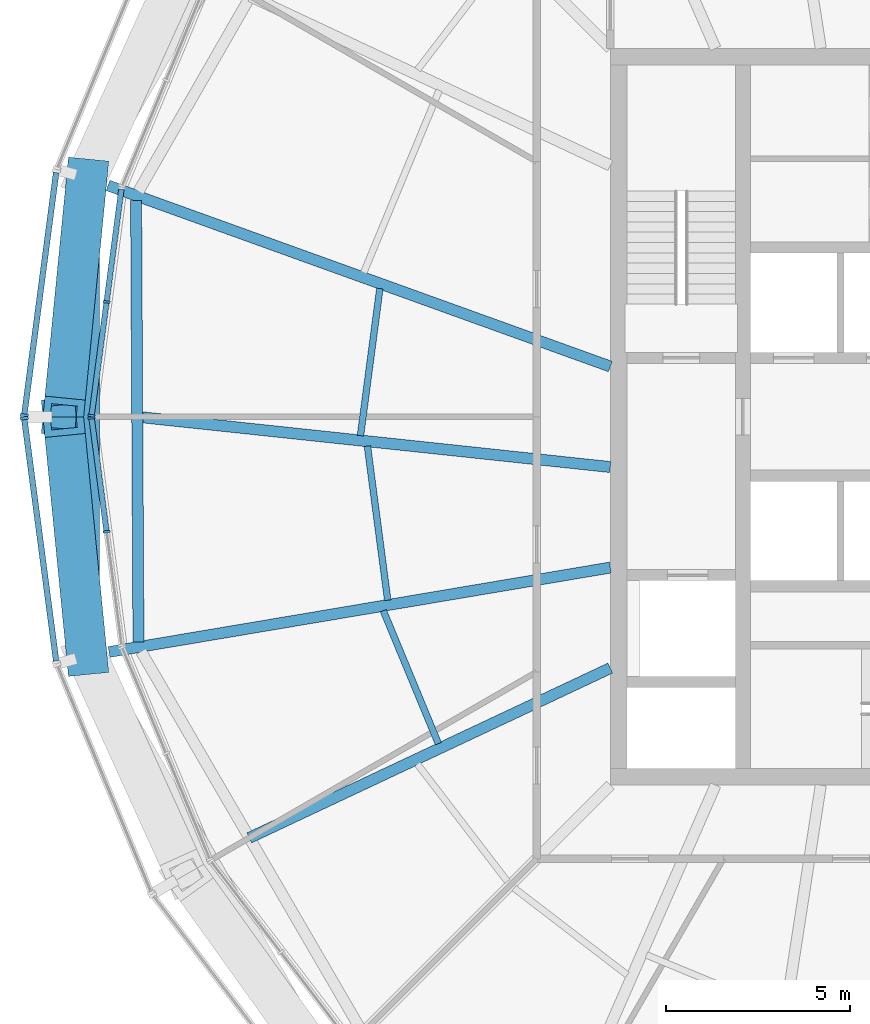
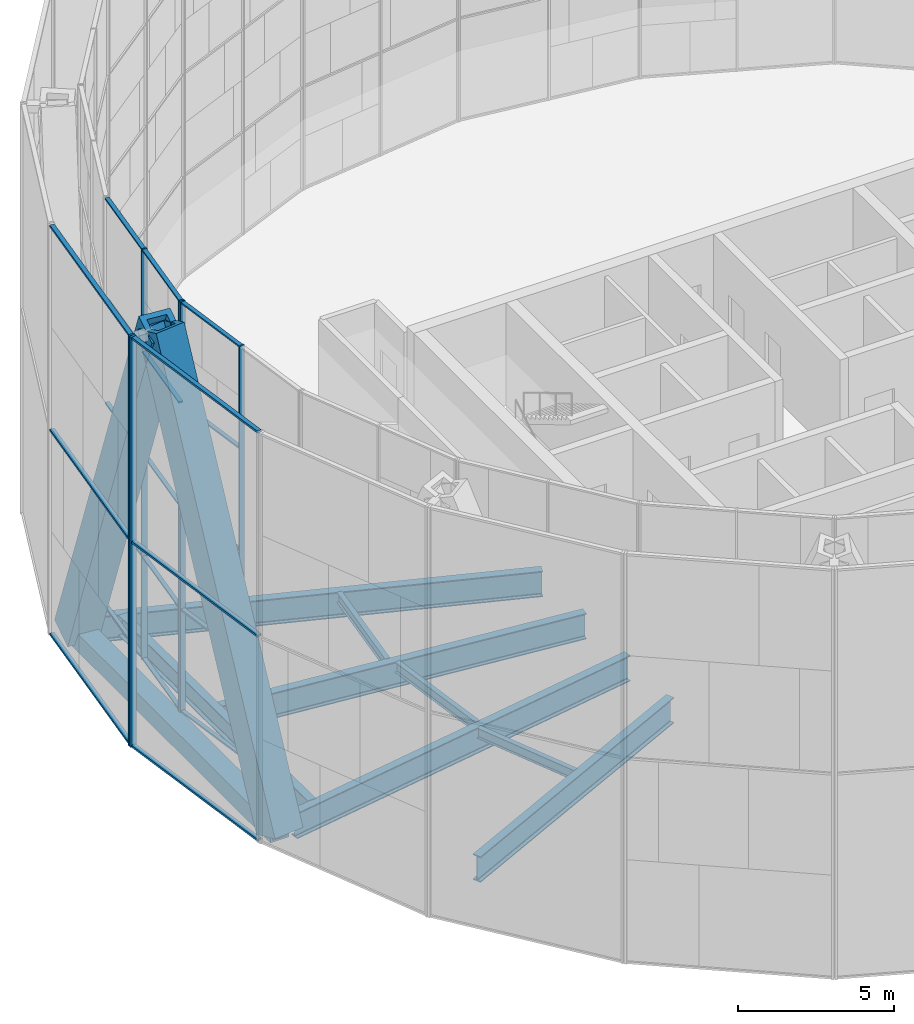
# One storey, part 4 of 30: 29 members, 9 beams, 4 elements without a shape of their own.
"""IFC4 building model written with IfcOpenShell, lengths in metres."""

import ifcopenshell
import ifcopenshell.guid

model = None  # the IFC model being written
_history = None  # IfcOwnerHistory: only IFC2X3 demands one
_inside = {}  # id of a spatial element -> (the spatial element, [elements in it])
_under = {}  # id of a project, library or spatial element -> (it, [spatial elements below it])
_declared = {}  # id of a project -> (the project, [libraries it declares])
_typed = {}  # id of a type object -> (the type object, [elements of that type])
_made_of = {}  # id of a material, layer set ... -> (it, [elements and type objects made of it])


def new_model(schema):
    """Start an empty IFC model of exactly this schema.

    Asked for "IFC4X3", IfcOpenShell would pick the latest addendum, in which some entities
    have other attributes; the version numbers below select the first issue.
    IFC2X3 requires an IfcOwnerHistory on every rooted entity: one is made here for all.
    """
    global model, _history
    if schema == "IFC4X3":
        model = ifcopenshell.file(schema_version=(4, 3, 0, 0))
    else:
        model = ifcopenshell.file(schema=schema)
    _inside.clear()
    _under.clear()
    _declared.clear()
    _typed.clear()
    _made_of.clear()
    _history = None
    if model.schema == "IFC2X3":
        org = make("IfcOrganization", Name="unknown")
        user = make(
            "IfcPersonAndOrganization",
            ThePerson=make("IfcPerson", FamilyName="unknown"),
            TheOrganization=org,
        )
        app = make(
            "IfcApplication",
            ApplicationDeveloper=org,
            Version="unknown",
            ApplicationFullName="unknown",
            ApplicationIdentifier="unknown",
        )
        _history = make(
            "IfcOwnerHistory",
            OwningUser=user,
            OwningApplication=app,
            ChangeAction="ADDED",
            CreationDate=0,
        )
    return model


def make(cls, **values):
    """One entity of the class cls with the attributes given. An attribute that is None is left unset."""
    return model.create_entity(
        cls, **{name: value for name, value in values.items() if value is not None}
    )


def rooted(cls, **values):
    """An entity with a GlobalId (a new one), such as an element, a storey or a relation."""
    return make(cls, GlobalId=ifcopenshell.guid.new(), OwnerHistory=_history, **values)


def si_unit(unit_type, name, prefix=None):
    """IfcSIUnit, for example si_unit("LENGTHUNIT", "METRE", prefix="MILLI")."""
    return make("IfcSIUnit", UnitType=unit_type, Prefix=prefix, Name=name)


def assignment(units):
    """IfcUnitAssignment: the units of a project."""
    return None if units is None else make("IfcUnitAssignment", Units=units)


def point(xyz):
    """IfcCartesianPoint."""
    return None if xyz is None else make("IfcCartesianPoint", Coordinates=xyz)


def direction(xyz):
    """IfcDirection."""
    return None if xyz is None else make("IfcDirection", DirectionRatios=xyz)


def frame(location, z_axis=None, x_axis=None):
    """IfcAxis2Placement3D, a coordinate frame: its origin and axes. An axis left out is left unset."""
    return make(
        "IfcAxis2Placement3D",
        Location=point(location),
        Axis=direction(z_axis),
        RefDirection=direction(x_axis),
    )


def frame_2d(location, x_axis=None):
    """IfcAxis2Placement2D, a coordinate frame in the plane: its origin and x axis."""
    return make(
        "IfcAxis2Placement2D", Location=point(location), RefDirection=direction(x_axis)
    )


def origin():
    """The frame at (0, 0, 0) with its axes left unset."""
    return frame((0.0, 0.0, 0.0))


def origin_2d():
    """The frame at (0, 0) in the plane with its x axis left unset."""
    return frame_2d((0.0, 0.0))


def place(relative_to, where):
    """IfcLocalPlacement: puts the frame where relative to a parent placement (None: the world)."""
    return make(
        "IfcLocalPlacement", PlacementRelTo=relative_to, RelativePlacement=where
    )


def context(
    kind, dimensions, precision=None, world=None, true_north=None, identifier=None
):
    """IfcGeometricRepresentationContext, for example the 3D "Model" context."""
    return make(
        "IfcGeometricRepresentationContext",
        ContextIdentifier=identifier,
        ContextType=kind,
        CoordinateSpaceDimension=dimensions,
        Precision=precision,
        WorldCoordinateSystem=world,
        TrueNorth=true_north,
    )


def subcontext(parent, identifier, kind, view, scale=None):
    """IfcGeometricRepresentationSubContext, for example "Body" below "Model"."""
    return make(
        "IfcGeometricRepresentationSubContext",
        ContextIdentifier=identifier,
        ContextType=kind,
        ParentContext=parent,
        TargetScale=scale,
        TargetView=view,
    )


def project(units=None, contexts=None):
    """IfcProject with its units and contexts."""
    return rooted(
        "IfcProject",
        Name="project",
        RepresentationContexts=contexts,
        UnitsInContext=assignment(units),
    )


def spatial(cls, under=None, at=None, **own):
    """A site, building, storey or space (cls), placed at a placement, below another one or the project."""
    s = rooted(cls, ObjectPlacement=at, **own)
    if under is not None:
        _under.setdefault(under.id(), (under, []))[1].append(s)
    return s


def profile(cls, at=None, kind="AREA", **sizes):
    """A parametric profile (cls). Its sizes go by their IFC names, for example OverallWidth=200.0."""
    return make(cls, ProfileType=kind, Position=at, **sizes)


def rectangle(**sizes):
    """IfcRectangleProfileDef."""
    return profile("IfcRectangleProfileDef", **sizes)


def hollow_rectangle(**sizes):
    """IfcRectangleHollowProfileDef."""
    return profile("IfcRectangleHollowProfileDef", **sizes)


def i_section(**sizes):
    """IfcIShapeProfileDef."""
    return profile("IfcIShapeProfileDef", **sizes)


def extrude(swept, where, along, depth):
    """IfcExtrudedAreaSolid: the profile swept, set in the frame where, extruded along a direction by depth."""
    return make(
        "IfcExtrudedAreaSolid",
        SweptArea=swept,
        Position=where,
        ExtrudedDirection=direction(along),
        Depth=depth,
    )


def shape(context_of_items, identifier, shape_type, items):
    """IfcShapeRepresentation: the items that make up one representation, for example the "Body"."""
    return make(
        "IfcShapeRepresentation",
        ContextOfItems=context_of_items,
        RepresentationIdentifier=identifier,
        RepresentationType=shape_type,
        Items=items,
    )


def material(Name=None, Category=None):
    """IfcMaterial."""
    return make("IfcMaterial", Name=Name, Category=Category)


def material_profile(
    of_material, cross_section, Name=None, Category=None, Priority=None
):
    """IfcMaterialProfile: a cross section and its material."""
    return make(
        "IfcMaterialProfile",
        Name=Name,
        Material=of_material,
        Profile=cross_section,
        Priority=Priority,
        Category=Category,
    )


def profile_set(profiles, Name=None, composite=None):
    """IfcMaterialProfileSet."""
    return make(
        "IfcMaterialProfileSet",
        Name=Name,
        MaterialProfiles=profiles,
        CompositeProfile=composite,
    )


def made_of(thing, what):
    """Note that an element or type object is made of a material, layer set ...; save() writes the relation."""
    if what is not None:
        _made_of.setdefault(what.id(), (what, []))[1].append(thing)
    return thing


def type_object(cls, material=None, **own):
    """A type object (cls), such as IfcWallType, which elements share."""
    return made_of(rooted(cls, **own), material)


def element(
    cls,
    number,
    at=None,
    inside=None,
    cuts=None,
    type_object=None,
    material=None,
    context=None,
    identifier="Body",
    shape_type=None,
    held_by="IfcProductDefinitionShape",
    body=None,
    shapes=None,
    **own,
):
    """One element of the class cls, such as IfcWall. Its Tag is "e" and its number.

    at: its placement. inside: the storey or other place that contains it. cuts: it is an
    opening in that element (IfcRelVoidsElement). A single representation is given by context,
    identifier, shape_type and body (its items); several are given by shapes. held_by: the class
    of the entity that holds the representations. save() writes the other relations.
    """
    e = rooted(cls, Tag="e%d" % number, ObjectPlacement=at, **own)
    if body is not None:
        shapes = [shape(context, identifier, shape_type, body)]
    if shapes is not None:
        e.Representation = make(held_by, Representations=shapes)
    if inside is not None:
        _inside.setdefault(inside.id(), (inside, []))[1].append(e)
    if cuts is not None:
        rooted(
            "IfcRelVoidsElement", RelatingBuildingElement=cuts, RelatedOpeningElement=e
        )
    if type_object is not None:
        _typed.setdefault(type_object.id(), (type_object, []))[1].append(e)
    return made_of(e, material)


def aggregate(whole, parts):
    """IfcRelAggregates: a whole, such as a stair, and the parts it consists of."""
    return rooted("IfcRelAggregates", RelatingObject=whole, RelatedObjects=parts)


def save(model, path):
    """Write the relations noted so far, then the file.

    IfcRelAggregates (storeys below a building ...), IfcRelContainedInSpatialStructure (elements
    in a storey), IfcRelDefinesByType, IfcRelAssociatesMaterial and IfcRelDeclares: one each for
    every whole, place, type object, material and project.
    """
    for whole, parts in _under.values():
        aggregate(whole, parts)
    for where, things in _inside.values():
        rooted(
            "IfcRelContainedInSpatialStructure",
            RelatedElements=things,
            RelatingStructure=where,
        )
    for kind, things in _typed.values():
        rooted("IfcRelDefinesByType", RelatedObjects=things, RelatingType=kind)
    for what, things in _made_of.values():
        rooted("IfcRelAssociatesMaterial", RelatedObjects=things, RelatingMaterial=what)
    for by, libraries in _declared.values():
        rooted("IfcRelDeclares", RelatingContext=by, RelatedDefinitions=libraries)
    model.write(path)


model = new_model("IFC4")

# Units and contexts
model_context = context("Model", 3, precision=1e-05, world=origin(), true_north=direction((0.0, 1.0)))
body_context = subcontext(model_context, "Body", "Model", "MODEL_VIEW")
ifc_project = project(units=[si_unit("LENGTHUNIT", "METRE"), si_unit("AREAUNIT", "SQUARE_METRE"), si_unit("VOLUMEUNIT", "CUBIC_METRE"), si_unit("PLANEANGLEUNIT", "RADIAN"), si_unit("MASSUNIT", "GRAM", prefix="KILO")], contexts=[model_context])

# Site, building, storey
site_placement = place(None, origin())
site = spatial("IfcSite", under=ifc_project, at=site_placement, CompositionType="ELEMENT")
building_placement = place(site_placement, origin())
building = spatial("IfcBuilding", under=site, at=building_placement, Name="Golbaran Civic Tower", CompositionType="ELEMENT")
storey_placement = place(building_placement, frame((0.0, 0.0, 167.0)))
storey = spatial("IfcBuildingStorey", under=building, at=storey_placement, Name="L40", CompositionType="ELEMENT", Elevation=167.0)

# Members
ifc_material_1 = material(Name="Steel S355", Category="steel")
ifc_material_profile_1 = material_profile(ifc_material_1, hollow_rectangle(XDim=1.10009765625, YDim=1.10009765625, WallThickness=0.199951171875, at=origin_2d()), Name="BOX 1100x1100x200")
ifc_profile_set_1 = profile_set([ifc_material_profile_1], Name="Steel S355")
member_type_1 = type_object("IfcMemberType", Name="DIAGRID DIAGONAL BOX 1100x1100x200", PredefinedType="BRACE", material=ifc_profile_set_1)
for number, where, z_axis, x_axis, name in (
    (1, (-24.208984375, 6.48681640625, -0.7099609375), (-0.036924758011, -0.375465296726, 0.92610062801), (0.995199025812, -0.097871849998, 0.0), "Diagonal D09-05R L40-L44"),
    (2, (-24.208984375, -6.48681640625, -0.7099609375), (-0.036924758011, 0.375465296726, 0.92610062801), (-0.995199025812, -0.097871849998, 0.0), "Diagonal D09-06L L40-L44"),
):
    element("IfcMember", number, at=place(storey_placement, frame(where, z_axis=z_axis, x_axis=x_axis)), inside=storey, type_object=member_type_1, Name=name, PredefinedType="BRACE", context=body_context, shape_type="SweptSolid", body=[
        extrude(hollow_rectangle(XDim=1.10009765625, YDim=1.10009765625, WallThickness=0.199951171875, at=origin_2d()), origin(), (0.0, 0.0, 1.0), 17.27685546875),
    ])

# Beams
ifc_material_profile_2 = material_profile(ifc_material_1, hollow_rectangle(XDim=0.699951171875, YDim=0.699951171875, WallThickness=0.080078125, at=origin_2d()), Name="BOX 700x700x80")
ifc_profile_set_2 = profile_set([ifc_material_profile_2], Name="Steel S355")
beam_type_1 = type_object("IfcBeamType", Name="DIAGRID RING TIE BOX 700x700x80", PredefinedType="BEAM", material=ifc_profile_set_2)
beam_1_placement = place(storey_placement, frame((-24.208984375, 6.48681640625, -0.7099609375), z_axis=(0.0, -1.0, 0.0), x_axis=(1.0, 0.0, 0.0)))
element("IfcBeam", 3, at=beam_1_placement, inside=storey, type_object=beam_type_1, Name="Ring tie 165.00 L40", PredefinedType="BEAM", context=body_context, shape_type="SweptSolid", body=[
    extrude(hollow_rectangle(XDim=0.699951171875, YDim=0.699951171875, WallThickness=0.080078125, at=origin_2d()), origin(), (0.0, 0.0, 1.0), 12.9736328125),
])
ifc_material_profile_3 = material_profile(ifc_material_1, i_section(OverallWidth=0.300048828125, OverallDepth=0.800048828125, WebThickness=0.017578125, FlangeThickness=0.032958984375, FilletRadius=0.030029296875, at=origin_2d()), Name="HEB 800")
ifc_profile_set_3 = profile_set([ifc_material_profile_3], Name="Steel S355")
beam_type_2 = type_object("IfcBeamType", Name="EDGE BEAM HEB 800", PredefinedType="BEAM", material=ifc_profile_set_3)
beam_2_placement = place(storey_placement, frame((-22.87109375, 5.8662109375, -0.60009765625), z_axis=(0.005377799601, -0.999985539531, 0.0), x_axis=(0.999985539531, 0.005377799601, 0.0)))
element("IfcBeam", 4, at=beam_2_placement, inside=storey, type_object=beam_type_2, Name="Edge beam 165.00 L40", PredefinedType="BEAM", context=body_context, shape_type="SweptSolid", body=[
    extrude(i_section(OverallWidth=0.300048828125, OverallDepth=0.800048828125, WebThickness=0.017578125, FlangeThickness=0.032958984375, FilletRadius=0.030029296875, at=origin_2d()), origin(), (0.0, 0.0, 1.0), 11.985107421875),
])
ifc_material_profile_4 = material_profile(ifc_material_1, i_section(OverallWidth=0.179931640625, OverallDepth=0.39990234375, WebThickness=0.008544921875, FlangeThickness=0.013427734375, FilletRadius=0.02099609375, at=origin_2d()), Name="IPE 400")
ifc_profile_set_4 = profile_set([ifc_material_profile_4], Name="Steel S355")
beam_type_3 = type_object("IfcBeamType", Name="FLOOR INFILL BEAM IPE 400", PredefinedType="BEAM", material=ifc_profile_set_4)
beam_3_placement = place(storey_placement, frame((-16.25439453125, 3.48095703125, -0.39990234375), z_axis=(-0.130536029441, -0.991443566229, 0.0), x_axis=(0.991443566229, -0.130536029441, 0.0)))
element("IfcBeam", 5, at=beam_3_placement, inside=storey, type_object=beam_type_3, Name="Infill beam 172.50 L40", PredefinedType="BEAM", context=body_context, shape_type="SweptSolid", body=[
    extrude(i_section(OverallWidth=0.179931640625, OverallDepth=0.39990234375, WebThickness=0.008544921875, FlangeThickness=0.013427734375, FilletRadius=0.02099609375, at=origin_2d()), origin(), (0.0, 0.0, 1.0), 4.028564453125),
])
beam_4_placement = place(storey_placement, frame((-16.591552734375, -0.794677734375, -0.39990234375), z_axis=(0.130511378619, -0.991446811509, 0.0), x_axis=(0.991446811509, 0.130511378619, 0.0)))
element("IfcBeam", 6, at=beam_4_placement, inside=storey, type_object=beam_type_3, Name="Infill beam 187.50 L40", PredefinedType="BEAM", context=body_context, shape_type="SweptSolid", body=[
    extrude(i_section(OverallWidth=0.179931640625, OverallDepth=0.39990234375, WebThickness=0.008544921875, FlangeThickness=0.013427734375, FilletRadius=0.02099609375, at=origin_2d()), origin(), (0.0, 0.0, 1.0), 4.22021484375),
])
beam_5_placement = place(storey_placement, frame((-16.160400390625, -5.2626953125, -0.39990234375), z_axis=(0.382675564136, -0.923882791599, 0.0), x_axis=(0.923882791599, 0.382675564136, 0.0)))
element("IfcBeam", 7, at=beam_5_placement, inside=storey, type_object=beam_type_3, Name="Infill beam 202.50 L40", PredefinedType="BEAM", context=body_context, shape_type="SweptSolid", body=[
    extrude(i_section(OverallWidth=0.179931640625, OverallDepth=0.39990234375, WebThickness=0.008544921875, FlangeThickness=0.013427734375, FilletRadius=0.02099609375, at=origin_2d()), origin(), (0.0, 0.0, 1.0), 3.906982421875),
])

# Curtain wall, members
ifc_material_2 = material(Name="Aluminium and glass", Category="aluminium")
curtain_wall_type_1 = type_object("IfcCurtainWallType", Name="INNER SKIN CURTAIN WALL EXECUTIVE", PredefinedType="NOTDEFINED", material=ifc_material_2)
curtain_wall_1_placement = place(storey_placement, origin())
curtain_wall_1 = element("IfcCurtainWall", 8, at=curtain_wall_1_placement, inside=storey, type_object=curtain_wall_type_1, Name="Inner skin L40 facet 12 CW2", ObjectType="INNER SKIN", PredefinedType="USERDEFINED")
ifc_material_3 = material(Name="Aluminium", Category="aluminium")
ifc_material_profile_5 = material_profile(ifc_material_3, rectangle(XDim=0.199951171875, YDim=0.06005859375, at=origin_2d()), Name="INNER SKIN CURTAIN WALL EXECUTIVE MULLION")
ifc_profile_set_5 = profile_set([ifc_material_profile_5], Name="Aluminium")
member_type_2 = type_object("IfcMemberType", Name="INNER SKIN CURTAIN WALL EXECUTIVE MULLION", PredefinedType="MULLION", material=ifc_profile_set_5)
member_1_placement = place(storey_placement, frame((-23.672607421875, 3.116455078125, 0.0), z_axis=(0.0, 0.0, 1.0), x_axis=(0.991444861383, -0.130526192151, 0.0)))
member_1 = element("IfcMember", 9, at=member_1_placement, type_object=member_type_2, Name="CW2 mullion 2", PredefinedType="MULLION", context=body_context, shape_type="SweptSolid", body=[
    extrude(rectangle(XDim=0.199951171875, YDim=0.06005859375, at=origin_2d()), origin(), (0.0, 0.0, 1.0), 16.0),
])
member_2_placement = place(storey_placement, frame((-24.0791015625, 0.02978515625, 0.0), z_axis=(0.0, 0.0, 1.0), x_axis=(0.991444861383, -0.130526192151, 0.0)))
member_2 = element("IfcMember", 10, at=member_2_placement, type_object=member_type_2, Name="CW2 mullion 3", PredefinedType="MULLION", context=body_context, shape_type="SweptSolid", body=[
    extrude(rectangle(XDim=0.199951171875, YDim=0.06005859375, at=origin_2d()), origin(), (0.0, 0.0, 1.0), 16.0),
])

curtain_wall_2_placement = place(storey_placement, origin())
curtain_wall_2 = element("IfcCurtainWall", 11, at=curtain_wall_2_placement, inside=storey, type_object=curtain_wall_type_1, Name="Inner skin L40 facet 13 CW2", ObjectType="INNER SKIN", PredefinedType="USERDEFINED")
member_3_placement = place(storey_placement, frame((-24.0791015625, -0.02978515625, 0.0), z_axis=(0.0, 0.0, 1.0), x_axis=(0.991444861383, 0.130526192151, 0.0)))
member_3 = element("IfcMember", 12, at=member_3_placement, type_object=member_type_2, Name="CW2 mullion 1", PredefinedType="MULLION", context=body_context, shape_type="SweptSolid", body=[
    extrude(rectangle(XDim=0.199951171875, YDim=0.06005859375, at=origin_2d()), origin(), (0.0, 0.0, 1.0), 16.0),
])
member_4_placement = place(storey_placement, frame((-23.672607421875, -3.116455078125, 0.0), z_axis=(0.0, 0.0, 1.0), x_axis=(0.991444861383, 0.130526192151, 0.0)))
member_4 = element("IfcMember", 13, at=member_4_placement, type_object=member_type_2, Name="CW2 mullion 2", PredefinedType="MULLION", context=body_context, shape_type="SweptSolid", body=[
    extrude(rectangle(XDim=0.199951171875, YDim=0.06005859375, at=origin_2d()), origin(), (0.0, 0.0, 1.0), 16.0),
])

# Member
ifc_material_profile_6 = material_profile(ifc_material_3, rectangle(XDim=0.14990234375, YDim=0.06005859375, at=origin_2d()), Name="INNER SKIN CURTAIN WALL EXECUTIVE TRANSOM")
ifc_profile_set_6 = profile_set([ifc_material_profile_6], Name="Aluminium")
member_type_3 = type_object("IfcMemberType", Name="INNER SKIN CURTAIN WALL EXECUTIVE TRANSOM", PredefinedType="USERDEFINED", material=ifc_profile_set_6)
member_5_placement = place(storey_placement, frame((-23.270263671875, 6.173583984375, 0.030029296875), z_axis=(-0.130487605099, -0.991449940701, 0.0), x_axis=(0.991449940701, -0.130487605099, 0.0)))
member_5 = element("IfcMember", 14, at=member_5_placement, type_object=member_type_3, Name="CW2 transom 1.1", ObjectType="TRANSOM", PredefinedType="USERDEFINED", context=body_context, shape_type="SweptSolid", body=[
    extrude(rectangle(XDim=0.14990234375, YDim=0.06005859375, at=origin_2d()), origin(), (0.0, 0.0, 1.0), 3.053466796875),
])

member_6_placement = place(storey_placement, frame((-23.270263671875, 6.173583984375, 4.0), z_axis=(-0.130487605099, -0.991449940701, 0.0), x_axis=(0.991449940701, -0.130487605099, 0.0)))
member_6 = element("IfcMember", 15, at=member_6_placement, type_object=member_type_3, Name="CW2 transom 1.2", ObjectType="TRANSOM", PredefinedType="USERDEFINED", context=body_context, shape_type="SweptSolid", body=[
    extrude(rectangle(XDim=0.14990234375, YDim=0.06005859375, at=origin_2d()), origin(), (0.0, 0.0, 1.0), 3.053466796875),
])

member_7_placement = place(storey_placement, frame((-23.270263671875, 6.173583984375, 8.0), z_axis=(-0.130487605099, -0.991449940701, 0.0), x_axis=(0.991449940701, -0.130487605099, 0.0)))
member_7 = element("IfcMember", 16, at=member_7_placement, type_object=member_type_3, Name="CW2 transom 1.3", ObjectType="TRANSOM", PredefinedType="USERDEFINED", context=body_context, shape_type="SweptSolid", body=[
    extrude(rectangle(XDim=0.14990234375, YDim=0.06005859375, at=origin_2d()), origin(), (0.0, 0.0, 1.0), 3.053466796875),
])

member_8_placement = place(storey_placement, frame((-23.270263671875, 6.173583984375, 12.0), z_axis=(-0.130487605099, -0.991449940701, 0.0), x_axis=(0.991449940701, -0.130487605099, 0.0)))
member_8 = element("IfcMember", 17, at=member_8_placement, type_object=member_type_3, Name="CW2 transom 1.4", ObjectType="TRANSOM", PredefinedType="USERDEFINED", context=body_context, shape_type="SweptSolid", body=[
    extrude(rectangle(XDim=0.14990234375, YDim=0.06005859375, at=origin_2d()), origin(), (0.0, 0.0, 1.0), 3.053466796875),
])

member_9_placement = place(storey_placement, frame((-23.270263671875, 6.173583984375, 15.969970703125), z_axis=(-0.130487605099, -0.991449940701, 0.0), x_axis=(0.991449940701, -0.130487605099, 0.0)))
member_9 = element("IfcMember", 18, at=member_9_placement, type_object=member_type_3, Name="CW2 transom 1.5", ObjectType="TRANSOM", PredefinedType="USERDEFINED", context=body_context, shape_type="SweptSolid", body=[
    extrude(rectangle(XDim=0.14990234375, YDim=0.06005859375, at=origin_2d()), origin(), (0.0, 0.0, 1.0), 3.053466796875),
])

member_10_placement = place(storey_placement, frame((-23.676513671875, 3.0869140625, 0.030029296875), z_axis=(-0.130566198103, -0.991439593678, 0.0), x_axis=(0.991439593678, -0.130566198103, 0.0)))
member_10 = element("IfcMember", 19, at=member_10_placement, type_object=member_type_3, Name="CW2 transom 2.1", ObjectType="TRANSOM", PredefinedType="USERDEFINED", context=body_context, shape_type="SweptSolid", body=[
    extrude(rectangle(XDim=0.14990234375, YDim=0.06005859375, at=origin_2d()), origin(), (0.0, 0.0, 1.0), 3.053466796875),
])

member_11_placement = place(storey_placement, frame((-23.676513671875, 3.0869140625, 4.0), z_axis=(-0.130566198103, -0.991439593678, 0.0), x_axis=(0.991439593678, -0.130566198103, 0.0)))
member_11 = element("IfcMember", 20, at=member_11_placement, type_object=member_type_3, Name="CW2 transom 2.2", ObjectType="TRANSOM", PredefinedType="USERDEFINED", context=body_context, shape_type="SweptSolid", body=[
    extrude(rectangle(XDim=0.14990234375, YDim=0.06005859375, at=origin_2d()), origin(), (0.0, 0.0, 1.0), 3.053466796875),
])

member_12_placement = place(storey_placement, frame((-23.676513671875, 3.0869140625, 8.0), z_axis=(-0.130566198103, -0.991439593678, 0.0), x_axis=(0.991439593678, -0.130566198103, 0.0)))
member_12 = element("IfcMember", 21, at=member_12_placement, type_object=member_type_3, Name="CW2 transom 2.3", ObjectType="TRANSOM", PredefinedType="USERDEFINED", context=body_context, shape_type="SweptSolid", body=[
    extrude(rectangle(XDim=0.14990234375, YDim=0.06005859375, at=origin_2d()), origin(), (0.0, 0.0, 1.0), 3.053466796875),
])

member_13_placement = place(storey_placement, frame((-23.676513671875, 3.0869140625, 12.0), z_axis=(-0.130566198103, -0.991439593678, 0.0), x_axis=(0.991439593678, -0.130566198103, 0.0)))
member_13 = element("IfcMember", 22, at=member_13_placement, type_object=member_type_3, Name="CW2 transom 2.4", ObjectType="TRANSOM", PredefinedType="USERDEFINED", context=body_context, shape_type="SweptSolid", body=[
    extrude(rectangle(XDim=0.14990234375, YDim=0.06005859375, at=origin_2d()), origin(), (0.0, 0.0, 1.0), 3.053466796875),
])

member_14_placement = place(storey_placement, frame((-23.676513671875, 3.0869140625, 15.969970703125), z_axis=(-0.130566198103, -0.991439593678, 0.0), x_axis=(0.991439593678, -0.130566198103, 0.0)))
member_14 = element("IfcMember", 23, at=member_14_placement, type_object=member_type_3, Name="CW2 transom 2.5", ObjectType="TRANSOM", PredefinedType="USERDEFINED", context=body_context, shape_type="SweptSolid", body=[
    extrude(rectangle(XDim=0.14990234375, YDim=0.06005859375, at=origin_2d()), origin(), (0.0, 0.0, 1.0), 3.053466796875),
])

aggregate(curtain_wall_1, [member_1, member_2, member_5, member_6, member_7, member_8, member_9, member_10, member_11, member_12, member_13, member_14])

member_15_placement = place(storey_placement, frame((-24.0751953125, -0.0595703125, 0.030029296875), z_axis=(0.130566198103, -0.991439593678, 0.0), x_axis=(0.991439593678, 0.130566198103, 0.0)))
member_15 = element("IfcMember", 24, at=member_15_placement, type_object=member_type_3, Name="CW2 transom 1.1", ObjectType="TRANSOM", PredefinedType="USERDEFINED", context=body_context, shape_type="SweptSolid", body=[
    extrude(rectangle(XDim=0.14990234375, YDim=0.06005859375, at=origin_2d()), origin(), (0.0, 0.0, 1.0), 3.053466796875),
])

member_16_placement = place(storey_placement, frame((-24.0751953125, -0.0595703125, 4.0), z_axis=(0.130566198103, -0.991439593678, 0.0), x_axis=(0.991439593678, 0.130566198103, 0.0)))
member_16 = element("IfcMember", 25, at=member_16_placement, type_object=member_type_3, Name="CW2 transom 1.2", ObjectType="TRANSOM", PredefinedType="USERDEFINED", context=body_context, shape_type="SweptSolid", body=[
    extrude(rectangle(XDim=0.14990234375, YDim=0.06005859375, at=origin_2d()), origin(), (0.0, 0.0, 1.0), 3.053466796875),
])

member_17_placement = place(storey_placement, frame((-24.0751953125, -0.0595703125, 8.0), z_axis=(0.130566198103, -0.991439593678, 0.0), x_axis=(0.991439593678, 0.130566198103, 0.0)))
member_17 = element("IfcMember", 26, at=member_17_placement, type_object=member_type_3, Name="CW2 transom 1.3", ObjectType="TRANSOM", PredefinedType="USERDEFINED", context=body_context, shape_type="SweptSolid", body=[
    extrude(rectangle(XDim=0.14990234375, YDim=0.06005859375, at=origin_2d()), origin(), (0.0, 0.0, 1.0), 3.053466796875),
])

member_18_placement = place(storey_placement, frame((-24.0751953125, -0.0595703125, 12.0), z_axis=(0.130566198103, -0.991439593678, 0.0), x_axis=(0.991439593678, 0.130566198103, 0.0)))
member_18 = element("IfcMember", 27, at=member_18_placement, type_object=member_type_3, Name="CW2 transom 1.4", ObjectType="TRANSOM", PredefinedType="USERDEFINED", context=body_context, shape_type="SweptSolid", body=[
    extrude(rectangle(XDim=0.14990234375, YDim=0.06005859375, at=origin_2d()), origin(), (0.0, 0.0, 1.0), 3.053466796875),
])

member_19_placement = place(storey_placement, frame((-24.0751953125, -0.0595703125, 15.969970703125), z_axis=(0.130566198103, -0.991439593678, 0.0), x_axis=(0.991439593678, 0.130566198103, 0.0)))
member_19 = element("IfcMember", 28, at=member_19_placement, type_object=member_type_3, Name="CW2 transom 1.5", ObjectType="TRANSOM", PredefinedType="USERDEFINED", context=body_context, shape_type="SweptSolid", body=[
    extrude(rectangle(XDim=0.14990234375, YDim=0.06005859375, at=origin_2d()), origin(), (0.0, 0.0, 1.0), 3.053466796875),
])

aggregate(curtain_wall_2, [member_3, member_4, member_15, member_16, member_17, member_18, member_19])

# Curtain wall, member
curtain_wall_type_2 = type_object("IfcCurtainWallType", Name="OUTER SKIN TERRACOTTA SCREEN", PredefinedType="NOTDEFINED", material=ifc_material_2)
curtain_wall_3_placement = place(storey_placement, origin())
curtain_wall_3 = element("IfcCurtainWall", 29, at=curtain_wall_3_placement, inside=storey, type_object=curtain_wall_type_2, Name="Outer skin L40 facet 12 CW3", ObjectType="OUTER SKIN", PredefinedType="USERDEFINED")
ifc_material_profile_7 = material_profile(ifc_material_3, rectangle(XDim=0.219970703125, YDim=0.080078125, at=origin_2d()), Name="OUTER SKIN TERRACOTTA SCREEN MULLION")
ifc_profile_set_7 = profile_set([ifc_material_profile_7], Name="Aluminium")
member_type_4 = type_object("IfcMemberType", Name="OUTER SKIN TERRACOTTA SCREEN MULLION", PredefinedType="MULLION", material=ifc_profile_set_7)
member_20_placement = place(storey_placement, frame((-25.90771484375, 0.03955078125, -0.7099609375), z_axis=(0.0, 0.0, 1.0), x_axis=(0.991444861381, -0.130526192168, 0.0)))
member_20 = element("IfcMember", 30, at=member_20_placement, type_object=member_type_4, Name="CW3 mullion 2", PredefinedType="MULLION", context=body_context, shape_type="SweptSolid", body=[
    extrude(rectangle(XDim=0.219970703125, YDim=0.080078125, at=origin_2d()), origin(), (0.0, 0.0, 1.0), 16.0),
])

curtain_wall_4_placement = place(storey_placement, origin())
curtain_wall_4 = element("IfcCurtainWall", 31, at=curtain_wall_4_placement, inside=storey, type_object=curtain_wall_type_2, Name="Outer skin L40 facet 13 CW3", ObjectType="OUTER SKIN", PredefinedType="USERDEFINED")
member_21_placement = place(storey_placement, frame((-25.90771484375, -0.03955078125, -0.7099609375), z_axis=(0.0, 0.0, 1.0), x_axis=(0.991444861381, 0.130526192168, 0.0)))
member_21 = element("IfcMember", 32, at=member_21_placement, type_object=member_type_4, Name="CW3 mullion 1", PredefinedType="MULLION", context=body_context, shape_type="SweptSolid", body=[
    extrude(rectangle(XDim=0.219970703125, YDim=0.080078125, at=origin_2d()), origin(), (0.0, 0.0, 1.0), 16.0),
])

# Member
ifc_material_profile_8 = material_profile(ifc_material_3, rectangle(XDim=0.159912109375, YDim=0.080078125, at=origin_2d()), Name="OUTER SKIN TERRACOTTA SCREEN TRANSOM")
ifc_profile_set_8 = profile_set([ifc_material_profile_8], Name="Aluminium")
member_type_5 = type_object("IfcMemberType", Name="OUTER SKIN TERRACOTTA SCREEN TRANSOM", PredefinedType="USERDEFINED", material=ifc_profile_set_8)
member_22_placement = place(storey_placement, frame((-25.04052734375, 6.62744140625, -0.669921875), z_axis=(-0.130524315936, -0.991445108389, 0.0), x_axis=(0.991445108389, -0.130524315936, 0.0)))
member_22 = element("IfcMember", 33, at=member_22_placement, type_object=member_type_5, Name="CW3 transom 1.1", ObjectType="TRANSOM", PredefinedType="USERDEFINED", context=body_context, shape_type="SweptSolid", body=[
    extrude(rectangle(XDim=0.159912109375, YDim=0.080078125, at=origin_2d()), origin(), (0.0, 0.0, 1.0), 6.6044921875),
])

member_23_placement = place(storey_placement, frame((-25.04052734375, 6.62744140625, 7.2900390625), z_axis=(-0.130524315936, -0.991445108389, 0.0), x_axis=(0.991445108389, -0.130524315936, 0.0)))
member_23 = element("IfcMember", 34, at=member_23_placement, type_object=member_type_5, Name="CW3 transom 1.2", ObjectType="TRANSOM", PredefinedType="USERDEFINED", context=body_context, shape_type="SweptSolid", body=[
    extrude(rectangle(XDim=0.159912109375, YDim=0.080078125, at=origin_2d()), origin(), (0.0, 0.0, 1.0), 6.6044921875),
])

member_24_placement = place(storey_placement, frame((-25.04052734375, 6.62744140625, 15.25), z_axis=(-0.130524315936, -0.991445108389, 0.0), x_axis=(0.991445108389, -0.130524315936, 0.0)))
member_24 = element("IfcMember", 35, at=member_24_placement, type_object=member_type_5, Name="CW3 transom 1.3", ObjectType="TRANSOM", PredefinedType="USERDEFINED", context=body_context, shape_type="SweptSolid", body=[
    extrude(rectangle(XDim=0.159912109375, YDim=0.080078125, at=origin_2d()), origin(), (0.0, 0.0, 1.0), 6.6044921875),
])

aggregate(curtain_wall_3, [member_20, member_22, member_23, member_24])

member_25_placement = place(storey_placement, frame((-25.902587890625, -0.079345703125, -0.669921875), z_axis=(0.130524315936, -0.991445108389, 0.0), x_axis=(0.991445108389, 0.130524315936, 0.0)))
member_25 = element("IfcMember", 36, at=member_25_placement, type_object=member_type_5, Name="CW3 transom 1.1", ObjectType="TRANSOM", PredefinedType="USERDEFINED", context=body_context, shape_type="SweptSolid", body=[
    extrude(rectangle(XDim=0.159912109375, YDim=0.080078125, at=origin_2d()), origin(), (0.0, 0.0, 1.0), 6.6044921875),
])

member_26_placement = place(storey_placement, frame((-25.902587890625, -0.079345703125, 7.2900390625), z_axis=(0.130524315936, -0.991445108389, 0.0), x_axis=(0.991445108389, 0.130524315936, 0.0)))
member_26 = element("IfcMember", 37, at=member_26_placement, type_object=member_type_5, Name="CW3 transom 1.2", ObjectType="TRANSOM", PredefinedType="USERDEFINED", context=body_context, shape_type="SweptSolid", body=[
    extrude(rectangle(XDim=0.159912109375, YDim=0.080078125, at=origin_2d()), origin(), (0.0, 0.0, 1.0), 6.6044921875),
])

member_27_placement = place(storey_placement, frame((-25.902587890625, -0.079345703125, 15.25), z_axis=(0.130524315936, -0.991445108389, 0.0), x_axis=(0.991445108389, 0.130524315936, 0.0)))
member_27 = element("IfcMember", 38, at=member_27_placement, type_object=member_type_5, Name="CW3 transom 1.3", ObjectType="TRANSOM", PredefinedType="USERDEFINED", context=body_context, shape_type="SweptSolid", body=[
    extrude(rectangle(XDim=0.159912109375, YDim=0.080078125, at=origin_2d()), origin(), (0.0, 0.0, 1.0), 6.6044921875),
])

aggregate(curtain_wall_4, [member_21, member_25, member_26, member_27])

# Beams
ifc_material_profile_9 = material_profile(ifc_material_1, i_section(OverallWidth=0.300048828125, OverallDepth=1.0, WebThickness=0.01904296875, FlangeThickness=0.035888671875, FilletRadius=0.030029296875, at=origin_2d()), Name="HEB 1000")
ifc_profile_set_9 = profile_set([ifc_material_profile_9], Name="Steel S355")
beam_type_4 = type_object("IfcBeamType", Name="RADIAL FLOOR BEAM HEB 1000", PredefinedType="BEAM", material=ifc_profile_set_9)
beam_6_placement = place(storey_placement, frame((-10.0, 1.3642578125, -0.7099609375), z_axis=(-0.940734636171, 0.339143545286, 0.0), x_axis=(-0.339143545286, -0.940734636171, 0.0)))
element("IfcBeam", 39, at=beam_6_placement, inside=storey, type_object=beam_type_4, Name="Radial beam 165.00 L40", PredefinedType="BEAM", context=body_context, shape_type="SweptSolid", body=[
    extrude(i_section(OverallWidth=0.300048828125, OverallDepth=1.0, WebThickness=0.01904296875, FlangeThickness=0.035888671875, FilletRadius=0.030029296875, at=origin_2d()), origin(), (0.0, 0.0, 1.0), 14.4931640625),
])
beam_7_placement = place(storey_placement, frame((-10.0, -4.0927734375, -0.7099609375), z_axis=(-0.986102088577, -0.166140515543, 0.0), x_axis=(0.166140515543, -0.986102088577, 0.0)))
element("IfcBeam", 40, at=beam_7_placement, inside=storey, type_object=beam_type_4, Name="Radial beam 195.00 L40", PredefinedType="BEAM", context=body_context, shape_type="SweptSolid", body=[
    extrude(i_section(OverallWidth=0.300048828125, OverallDepth=1.0, WebThickness=0.01904296875, FlangeThickness=0.035888671875, FilletRadius=0.030029296875, at=origin_2d()), origin(), (0.0, 0.0, 1.0), 13.796875),
])
ifc_material_profile_10 = material_profile(ifc_material_1, i_section(OverallWidth=0.300048828125, OverallDepth=1.0, WebThickness=0.01904296875, FlangeThickness=0.035888671875, FilletRadius=0.030029296875, at=origin_2d()), Name="HEB 1000")
ifc_profile_set_10 = profile_set([ifc_material_profile_10], Name="Steel S355")
beam_type_5 = type_object("IfcBeamType", Name="SECONDARY FLOOR BEAM HEB 1000", PredefinedType="BEAM", material=ifc_profile_set_10)
beam_8_placement = place(storey_placement, frame((-10.0, -1.3642578125, -0.7099609375), z_axis=(-0.994402404911, 0.105659155343, 0.0), x_axis=(-0.105659155343, -0.994402404911, 0.0)))
element("IfcBeam", 41, at=beam_8_placement, inside=storey, type_object=beam_type_5, Name="Secondary beam 180.00 L40", PredefinedType="BEAM", context=body_context, shape_type="SweptSolid", body=[
    extrude(i_section(OverallWidth=0.300048828125, OverallDepth=1.0, WebThickness=0.01904296875, FlangeThickness=0.035888671875, FilletRadius=0.030029296875, at=origin_2d()), origin(), (0.0, 0.0, 1.0), 12.911865234375),
])
beam_9_placement = place(storey_placement, frame((-10.0, -6.821533203125, -0.7099609375), z_axis=(-0.904891263712, -0.425642809004, 0.0), x_axis=(0.425642809004, -0.904891263712, 0.0)))
element("IfcBeam", 42, at=beam_9_placement, inside=storey, type_object=beam_type_5, Name="Secondary beam 210.00 L40", PredefinedType="BEAM", context=body_context, shape_type="SweptSolid", body=[
    extrude(i_section(OverallWidth=0.300048828125, OverallDepth=1.0, WebThickness=0.01904296875, FlangeThickness=0.035888671875, FilletRadius=0.030029296875, at=origin_2d()), origin(), (0.0, 0.0, 1.0), 10.82568359375),
])

save(model, "model.ifc")
